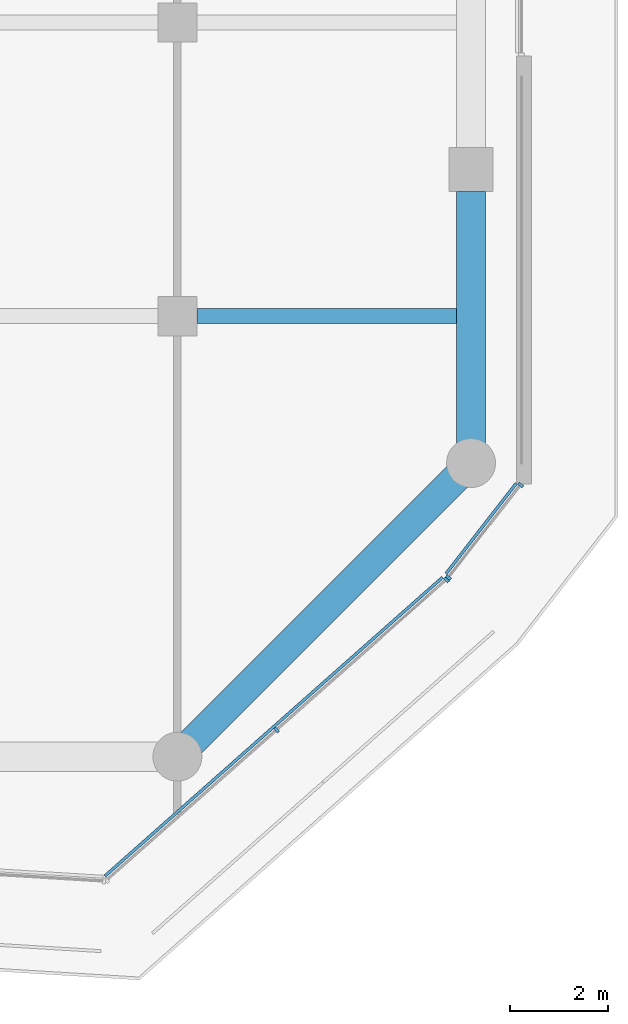
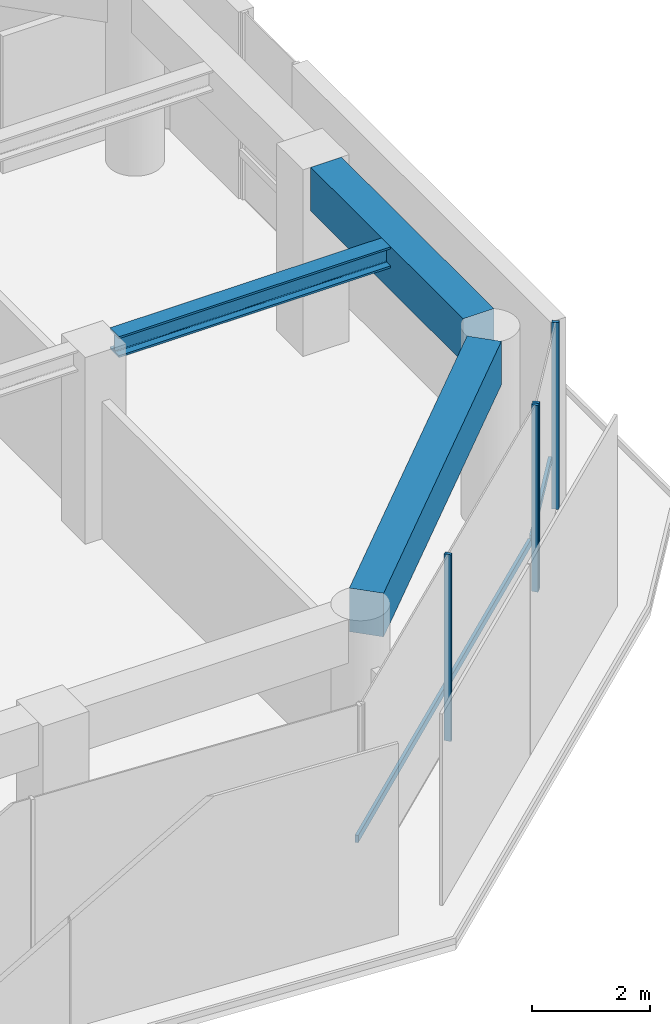
# One storey, part 7 of 24: 6 members, 3 beams, 2 elements without a shape of their own.
"""IFC4 building model written with IfcOpenShell, lengths in metres."""

from ifc_helpers import new_model, si_unit, direction, frame, origin, origin_2d, place, context, subcontext, project, spatial, rectangle, i_section, extrude, material, layer, layer_set, material_profile, profile_set, type_object, element, aggregate, save


model = new_model("IFC4")

# Units and contexts
model_context = context("Model", 3, precision=1e-05, world=origin(), true_north=direction((0.0, 1.0)))
body_context = subcontext(model_context, "Body", "Model", "MODEL_VIEW")
ifc_project = project(units=[si_unit("LENGTHUNIT", "METRE"), si_unit("AREAUNIT", "SQUARE_METRE"), si_unit("VOLUMEUNIT", "CUBIC_METRE"), si_unit("PLANEANGLEUNIT", "RADIAN"), si_unit("MASSUNIT", "GRAM", prefix="KILO")], contexts=[model_context])

# Site, building, storey
site_placement = place(None, origin())
site = spatial("IfcSite", under=ifc_project, at=site_placement, CompositionType="ELEMENT")
building_placement = place(site_placement, origin())
building = spatial("IfcBuilding", under=site, at=building_placement, Name="Welwitschia Terrace Campus", CompositionType="ELEMENT")
storey_placement = place(building_placement, frame((0.0, 0.0, 125.60009765625)))
storey = spatial("IfcBuildingStorey", under=building, at=storey_placement, Name="L28", CompositionType="ELEMENT", Elevation=125.60009765625)

# Beam
ifc_material_1 = material(Name="Steel S355", Category="steel")
ifc_material_profile_1 = material_profile(ifc_material_1, i_section(OverallWidth=0.306884765625, OverallDepth=0.431884765625, WebThickness=0.02099609375, FlangeThickness=0.0400390625, FilletRadius=0.027099609375, at=origin_2d()))
ifc_profile_set_1 = profile_set([ifc_material_profile_1], Name="Steel S355")
beam_type_1 = type_object("IfcBeamType", Name="Interior girder HE 400 M", PredefinedType="BEAM", material=ifc_profile_set_1)
beam_1_placement = place(storey_placement, frame((48.400390625, 13.0, 3.6337890625), z_axis=(1.0, 0.0, 0.0), x_axis=(0.0, 1.0, 0.0)))
element("IfcBeam", 1, at=beam_1_placement, inside=storey, type_object=beam_type_1, Name="Girder GB3", PredefinedType="BEAM", context=body_context, shape_type="SweptSolid", body=[
    extrude(i_section(OverallWidth=0.306884765625, OverallDepth=0.431884765625, WebThickness=0.02099609375, FlangeThickness=0.0400390625, FilletRadius=0.027099609375, at=origin_2d()), origin(), (0.0, 0.0, 1.0), 5.609619140625),
])

# Curtain wall, members
ifc_material_2 = material(Name="Bronze anodised aluminium", Category="aluminium")
ifc_layer = layer(ifc_material_2, 0.1201171875)
ifc_layer_set = layer_set([ifc_layer], Name="Bronze anodised aluminium")
curtain_wall_type = type_object("IfcCurtainWallType", Name="Curtain wall CW2 tower 6000", PredefinedType="NOTDEFINED", material=ifc_layer_set)
curtain_wall_1_placement = place(storey_placement, origin())
curtain_wall_1 = element("IfcCurtainWall", 2, at=curtain_wall_1_placement, inside=storey, type_object=curtain_wall_type, Name="CW L28.4.0", PredefinedType="NOTDEFINED")
ifc_material_3 = material(Name="Bronze anodised aluminium", Category="aluminium")
ifc_material_profile_2 = material_profile(ifc_material_3, rectangle(XDim=0.1201171875, YDim=0.06005859375, at=origin_2d()))
ifc_profile_set_2 = profile_set([ifc_material_profile_2], Name="Bronze anodised aluminium")
member_type_1 = type_object("IfcMemberType", Name="Mullion 60x120", PredefinedType="MULLION", material=ifc_profile_set_2)
member_1_placement = place(storey_placement, frame((50.02783203125, 4.545166015625, 0.0), z_axis=(0.0, 0.0, 1.0), x_axis=(-0.662620048216, 0.748955720789, 0.0)))
member_1 = element("IfcMember", 3, at=member_1_placement, type_object=member_type_1, Name="Mullion L28.4.0.1", PredefinedType="MULLION", context=body_context, shape_type="SweptSolid", body=[
    extrude(rectangle(XDim=0.1201171875, YDim=0.06005859375, at=origin_2d()), origin(), (0.0, 0.0, 1.0), 3.849853515625),
])
member_2_placement = place(storey_placement, frame((53.498779296875, 7.6162109375, 0.0), z_axis=(0.0, 0.0, 1.0), x_axis=(-0.662620048216, 0.748955720789, 0.0)))
member_2 = element("IfcMember", 4, at=member_2_placement, type_object=member_type_1, Name="Mullion L28.4.0.2", PredefinedType="MULLION", context=body_context, shape_type="SweptSolid", body=[
    extrude(rectangle(XDim=0.1201171875, YDim=0.06005859375, at=origin_2d()), origin(), (0.0, 0.0, 1.0), 3.849853515625),
])

curtain_wall_2_placement = place(storey_placement, origin())
curtain_wall_2 = element("IfcCurtainWall", 5, at=curtain_wall_2_placement, inside=storey, type_object=curtain_wall_type, Name="CW L28.5.0", PredefinedType="NOTDEFINED")
member_3_placement = place(storey_placement, frame((53.539794921875, 7.65966796875, 0.0), z_axis=(0.0, 0.0, 1.0), x_axis=(-0.789304288642, 0.614002231211, 0.0)))
member_3 = element("IfcMember", 6, at=member_3_placement, type_object=member_type_1, Name="Mullion L28.5.0.0", PredefinedType="MULLION", context=body_context, shape_type="SweptSolid", body=[
    extrude(rectangle(XDim=0.1201171875, YDim=0.06005859375, at=origin_2d()), origin(), (0.0, 0.0, 1.0), 3.849853515625),
])
member_4_placement = place(storey_placement, frame((55.011474609375, 9.5517578125, 0.0), z_axis=(0.0, 0.0, 1.0), x_axis=(-0.789304288642, 0.614002231211, 0.0)))
member_4 = element("IfcMember", 7, at=member_4_placement, type_object=member_type_1, Name="Mullion L28.5.0.1", PredefinedType="MULLION", context=body_context, shape_type="SweptSolid", body=[
    extrude(rectangle(XDim=0.1201171875, YDim=0.06005859375, at=origin_2d()), origin(), (0.0, 0.0, 1.0), 3.849853515625),
])

# Beams
ifc_material_4 = material(Name="Concrete C60/75", Category="concrete")
ifc_material_profile_3 = material_profile(ifc_material_4, rectangle(XDim=0.60009765625, YDim=0.89990234375, at=origin_2d()))
ifc_profile_set_3 = profile_set([ifc_material_profile_3], Name="Concrete C60/75")
beam_type_2 = type_object("IfcBeamType", Name="Ring spandrel 600x900", PredefinedType="SPANDREL", material=ifc_profile_set_3)
beam_2_placement = place(storey_placement, frame((48.283203125, 4.283203125, 3.39990234375), z_axis=(0.707106781187, 0.707106781187, 0.0), x_axis=(-0.707106781187, 0.707106781187, 0.0)))
element("IfcBeam", 8, at=beam_2_placement, inside=storey, type_object=beam_type_2, Name="Spandrel SP2", PredefinedType="SPANDREL", context=body_context, shape_type="SweptSolid", body=[
    extrude(rectangle(XDim=0.60009765625, YDim=0.89990234375, at=origin_2d()), origin(), (0.0, 0.0, 1.0), 7.684326171875),
])
beam_3_placement = place(storey_placement, frame((54.0, 10.400390625, 3.39990234375), z_axis=(0.0, 1.0, 0.0), x_axis=(-1.0, 0.0, 0.0)))
element("IfcBeam", 9, at=beam_3_placement, inside=storey, type_object=beam_type_2, Name="Spandrel SP2", PredefinedType="SPANDREL", context=body_context, shape_type="SweptSolid", body=[
    extrude(rectangle(XDim=0.60009765625, YDim=0.89990234375, at=origin_2d()), origin(), (0.0, 0.0, 1.0), 5.149169921875),
])

# Member
ifc_material_5 = material(Name="Bronze anodised aluminium", Category="aluminium")
ifc_material_profile_4 = material_profile(ifc_material_5, rectangle(XDim=0.06005859375, YDim=0.14990234375, at=origin_2d()))
ifc_profile_set_4 = profile_set([ifc_material_profile_4], Name="Bronze anodised aluminium")
member_type_2 = type_object("IfcMemberType", Name="Transom 60x150", PredefinedType="USERDEFINED", material=ifc_profile_set_4)
member_5_placement = place(storey_placement, frame((46.51953125, 1.561767578125, 1.0), z_axis=(0.748973790839, 0.662599623179, 0.0), x_axis=(-0.662599623179, 0.748973790839, 0.0)))
member_5 = element("IfcMember", 10, at=member_5_placement, type_object=member_type_2, Name="Transom L28.4.0", ObjectType="TRANSOM", PredefinedType="USERDEFINED", context=body_context, shape_type="SweptSolid", body=[
    extrude(rectangle(XDim=0.06005859375, YDim=0.14990234375, at=origin_2d()), origin(), (0.0, 0.0, 1.0), 9.208984375),
])

aggregate(curtain_wall_1, [member_1, member_2, member_5])

member_6_placement = place(storey_placement, frame((53.487060546875, 7.738525390625, 1.0), z_axis=(0.613962306929, 0.789335344243, 0.0), x_axis=(-0.789335344243, 0.613962306929, 0.0)))
member_6 = element("IfcMember", 11, at=member_6_placement, type_object=member_type_2, Name="Transom L28.5.0", ObjectType="TRANSOM", PredefinedType="USERDEFINED", context=body_context, shape_type="SweptSolid", body=[
    extrude(rectangle(XDim=0.06005859375, YDim=0.14990234375, at=origin_2d()), origin(), (0.0, 0.0, 1.0), 2.33740234375),
])

aggregate(curtain_wall_2, [member_3, member_4, member_6])

save(model, "model.ifc")
